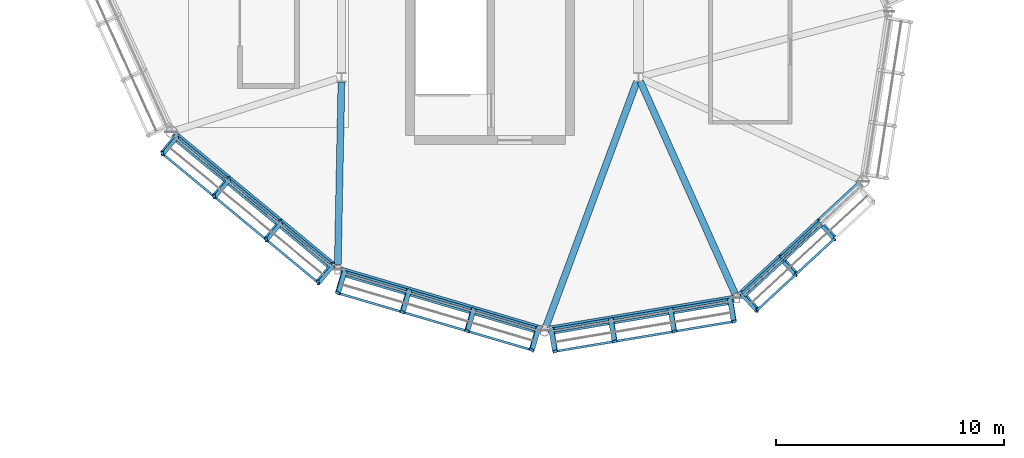
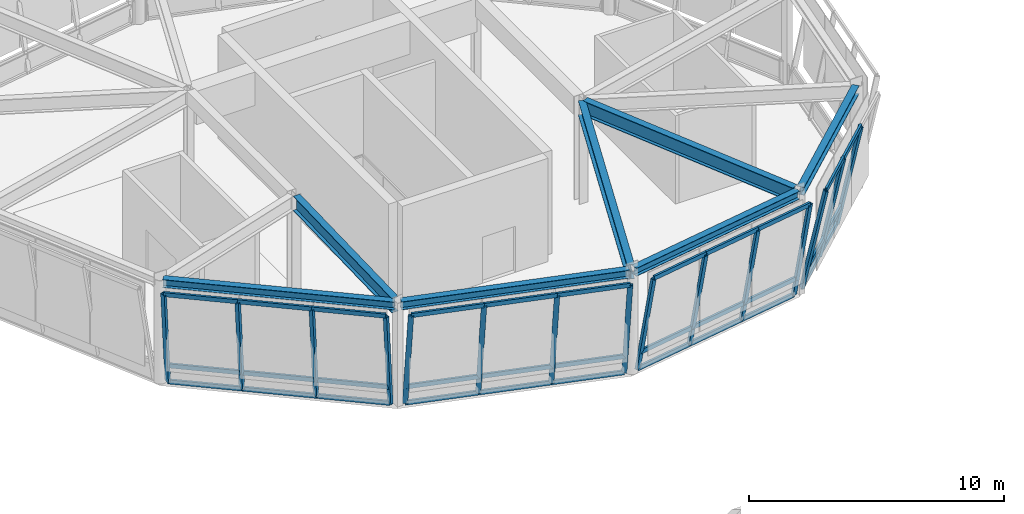
# One storey, part 22 of 113: 48 members, 7 beams, 4 elements without a shape of their own.
"""IFC4 building model written with IfcOpenShell, lengths in metres."""

from ifc_helpers import new_model, si_unit, direction, frame, origin, origin_2d, place, context, subcontext, project, spatial, hollow_rectangle, i_section, extrude, material, material_profile, profile_set, type_object, element, aggregate, save


model = new_model("IFC4")

# Units and contexts
model_context = context("Model", 3, precision=1e-05, world=origin(), true_north=direction((0.0, 1.0)))
body_context = subcontext(model_context, "Body", "Model", "MODEL_VIEW")
ifc_project = project(units=[si_unit("LENGTHUNIT", "METRE"), si_unit("AREAUNIT", "SQUARE_METRE"), si_unit("VOLUMEUNIT", "CUBIC_METRE"), si_unit("PLANEANGLEUNIT", "RADIAN"), si_unit("MASSUNIT", "GRAM", prefix="KILO")], contexts=[model_context])

# Site, building, storey
site_placement = place(None, origin())
site = spatial("IfcSite", under=ifc_project, at=site_placement, CompositionType="ELEMENT")
building_placement = place(site_placement, origin())
building = spatial("IfcBuilding", under=site, at=building_placement, Name="Linyun Crest Stadium", CompositionType="ELEMENT")
storey_placement = place(building_placement, frame((0.0, 0.0, 26.39990234375)))
storey = spatial("IfcBuildingStorey", under=building, at=storey_placement, Name="L06", CompositionType="ELEMENT", Elevation=26.39990234375)

# Beams
ifc_material_1 = material(Name="Steel Q355C", Category="steel")
ifc_material_profile_1 = material_profile(ifc_material_1, i_section(OverallWidth=0.300048828125, OverallDepth=0.389892578125, WebThickness=0.010009765625, FlangeThickness=0.01611328125, at=origin_2d()), Name="HM 390x300")
ifc_profile_set_1 = profile_set([ifc_material_profile_1], Name="Steel Q355C")
beam_type_1 = type_object("IfcBeamType", Name="B06", PredefinedType="BEAM", material=ifc_profile_set_1)
beam_1_placement = place(storey_placement, frame((-87.34912109375, 78.032958984375, 4.75), z_axis=(0.770371409823, -0.637595397512, 0.0), x_axis=(0.637595397512, 0.770371409823, 0.0)))
element("IfcBeam", 1, at=beam_1_placement, inside=storey, type_object=beam_type_1, Name="Pod ring girder B06 L06 89", PredefinedType="BEAM", context=body_context, shape_type="SweptSolid", body=[
    extrude(i_section(OverallWidth=0.300048828125, OverallDepth=0.389892578125, WebThickness=0.010009765625, FlangeThickness=0.01611328125, at=origin_2d()), origin(), (0.0, 0.0, 1.0), 9.204833984375),
])
beam_2_placement = place(storey_placement, frame((-80.051025390625, 72.052978515625, 4.75), z_axis=(0.959427571735, -0.281955199623, 0.0), x_axis=(0.281955199623, 0.959427571735, 0.0)))
element("IfcBeam", 2, at=beam_2_placement, inside=storey, type_object=beam_type_1, Name="Pod ring girder B06 L06 91", PredefinedType="BEAM", context=body_context, shape_type="SweptSolid", body=[
    extrude(i_section(OverallWidth=0.300048828125, OverallDepth=0.389892578125, WebThickness=0.010009765625, FlangeThickness=0.01611328125, at=origin_2d()), origin(), (0.0, 0.0, 1.0), 9.203369140625),
])
beam_3_placement = place(storey_placement, frame((-70.988037109375, 69.444091796875, 4.75), z_axis=(0.986275969976, 0.165105151487, 0.0), x_axis=(-0.165105151487, 0.986275969976, 0.0)))
element("IfcBeam", 3, at=beam_3_placement, inside=storey, type_object=beam_type_1, Name="Pod ring girder B06 L06 93", PredefinedType="BEAM", context=body_context, shape_type="SweptSolid", body=[
    extrude(i_section(OverallWidth=0.300048828125, OverallDepth=0.389892578125, WebThickness=0.010009765625, FlangeThickness=0.01611328125, at=origin_2d()), origin(), (0.0, 0.0, 1.0), 8.296875),
])
beam_4_placement = place(storey_placement, frame((-62.59912109375, 70.9150390625, 4.75), z_axis=(0.734193861678, 0.678939889441, 0.0), x_axis=(-0.678939889441, 0.734193861678, 0.0)))
element("IfcBeam", 4, at=beam_4_placement, inside=storey, type_object=beam_type_1, Name="Pod ring girder B06 L06 95", PredefinedType="BEAM", context=body_context, shape_type="SweptSolid", body=[
    extrude(i_section(OverallWidth=0.300048828125, OverallDepth=0.389892578125, WebThickness=0.010009765625, FlangeThickness=0.01611328125, at=origin_2d()), origin(), (0.0, 0.0, 1.0), 7.28173828125),
])
ifc_material_2 = material(Name="Steel Q355C", Category="steel")
ifc_material_profile_2 = material_profile(ifc_material_2, i_section(OverallWidth=0.300048828125, OverallDepth=0.699951171875, WebThickness=0.012939453125, FlangeThickness=0.02392578125, at=origin_2d()), Name="HN 700x300")
ifc_profile_set_2 = profile_set([ifc_material_profile_2], Name="Steel Q355C")
beam_type_2 = type_object("IfcBeamType", Name="B12", PredefinedType="BEAM", material=ifc_profile_set_2)
beam_5_placement = place(storey_placement, frame((-80.00390625, 80.300048828125, 4.59521484375), z_axis=(-0.01978842746, -0.999804189899, 0.0), x_axis=(0.999804189899, -0.01978842746, 0.0)))
element("IfcBeam", 5, at=beam_5_placement, inside=storey, type_object=beam_type_2, Name="Pod radial tie girder B12 L06 92", PredefinedType="BEAM", context=body_context, shape_type="SweptSolid", body=[
    extrude(i_section(OverallWidth=0.300048828125, OverallDepth=0.699951171875, WebThickness=0.012939453125, FlangeThickness=0.02392578125, at=origin_2d()), origin(), (0.0, 0.0, 1.0), 7.99462890625),
])
beam_6_placement = place(storey_placement, frame((-67.070068359375, 80.31201171875, 4.59521484375), z_axis=(-0.347593524127, -0.937645317796, 0.0), x_axis=(0.937645317796, -0.347593524127, 0.0)))
element("IfcBeam", 6, at=beam_6_placement, inside=storey, type_object=beam_type_2, Name="Pod radial tie girder B12 L06 94", PredefinedType="BEAM", context=body_context, shape_type="SweptSolid", body=[
    extrude(i_section(OverallWidth=0.300048828125, OverallDepth=0.699951171875, WebThickness=0.012939453125, FlangeThickness=0.02392578125, at=origin_2d()), origin(), (0.0, 0.0, 1.0), 11.392578125),
])
beam_7_placement = place(storey_placement, frame((-66.9189453125, 80.31689453125, 4.59521484375), z_axis=(0.407495258441, -0.913207322763, 0.0), x_axis=(0.913207322763, 0.407495258441, 0.0)))
element("IfcBeam", 7, at=beam_7_placement, inside=storey, type_object=beam_type_2, Name="Pod radial tie girder B12 L06 96", PredefinedType="BEAM", context=body_context, shape_type="SweptSolid", body=[
    extrude(i_section(OverallWidth=0.300048828125, OverallDepth=0.699951171875, WebThickness=0.012939453125, FlangeThickness=0.02392578125, at=origin_2d()), origin(), (0.0, 0.0, 1.0), 10.1640625),
])

# Curtain wall, members
ifc_material_3 = material(Name="Verdigris steel and low-E curtain wall assembly", Category="steel")
curtain_wall_type = type_object("IfcCurtainWallType", Name="MCW04", PredefinedType="NOTDEFINED", material=ifc_material_3)
curtain_wall_1_placement = place(storey_placement, origin())
curtain_wall_1 = element("IfcCurtainWall", 8, at=curtain_wall_1_placement, inside=storey, type_object=curtain_wall_type, Name="CWR-033", PredefinedType="NOTDEFINED")
ifc_material_4 = material(Name="Verdigris painted steel Q355C pod mullion", Category="steel")
ifc_material_profile_3 = material_profile(ifc_material_4, hollow_rectangle(XDim=0.1201171875, YDim=0.219970703125, WallThickness=0.008056640625, at=origin_2d()), Name="RHS 220x120x8")
ifc_profile_set_3 = profile_set([ifc_material_profile_3], Name="Verdigris painted steel Q355C pod mullion")
member_type_1 = type_object("IfcMemberType", Name="ML04", PredefinedType="MULLION", material=ifc_profile_set_3)
member_1_placement = place(storey_placement, frame((-87.2099609375, 77.9189453125, 0.0), z_axis=(-0.12724398281, -0.153628034951, 0.979901727581), x_axis=(0.972586832037, 0.174539399185, 0.153658232063)))
member_1 = element("IfcMember", 9, at=member_1_placement, type_object=member_type_1, Name="CWR-033 mullion 1", PredefinedType="MULLION", context=body_context, shape_type="SweptSolid", body=[
    extrude(hollow_rectangle(XDim=0.1201171875, YDim=0.219970703125, WallThickness=0.008056640625, at=origin_2d()), origin(), (0.0, 0.0, 1.0), 4.959716796875),
])
member_2_placement = place(storey_placement, frame((-84.93896484375, 76.0390625, 0.0), z_axis=(-0.12724398281, -0.153628034951, 0.979901727581), x_axis=(0.972586832037, 0.174539399185, 0.153658232063)))
member_2 = element("IfcMember", 10, at=member_2_placement, type_object=member_type_1, Name="CWR-033 mullion 2", PredefinedType="MULLION", context=body_context, shape_type="SweptSolid", body=[
    extrude(hollow_rectangle(XDim=0.1201171875, YDim=0.219970703125, WallThickness=0.008056640625, at=origin_2d()), origin(), (0.0, 0.0, 1.0), 4.959716796875),
])
member_3_placement = place(storey_placement, frame((-82.66796875, 74.157958984375, 0.0), z_axis=(-0.127247829487, -0.153435777374, 0.979931350714), x_axis=(0.972711180682, 0.173944112656, 0.153546099423)))
member_3 = element("IfcMember", 11, at=member_3_placement, type_object=member_type_1, Name="CWR-033 mullion 3", PredefinedType="MULLION", context=body_context, shape_type="SweptSolid", body=[
    extrude(hollow_rectangle(XDim=0.1201171875, YDim=0.219970703125, WallThickness=0.008056640625, at=origin_2d()), origin(), (0.0, 0.0, 1.0), 4.959716796875),
])
member_4_placement = place(storey_placement, frame((-80.39697265625, 72.278076171875, 0.0), z_axis=(-0.12724398281, -0.153628034951, 0.979901727581), x_axis=(0.972586832037, 0.174539399185, 0.153658232063)))
member_4 = element("IfcMember", 12, at=member_4_placement, type_object=member_type_1, Name="CWR-033 mullion 4", PredefinedType="MULLION", context=body_context, shape_type="SweptSolid", body=[
    extrude(hollow_rectangle(XDim=0.1201171875, YDim=0.219970703125, WallThickness=0.008056640625, at=origin_2d()), origin(), (0.0, 0.0, 1.0), 4.959716796875),
])

curtain_wall_2_placement = place(storey_placement, origin())
curtain_wall_2 = element("IfcCurtainWall", 13, at=curtain_wall_2_placement, inside=storey, type_object=curtain_wall_type, Name="CWR-034", PredefinedType="NOTDEFINED")
member_5_placement = place(storey_placement, frame((-79.8779296875, 72.001953125, 0.0), z_axis=(-0.056263528028, -0.191335374841, 0.979910807037), x_axis=(0.535777028127, 0.822393680307, 0.1913416074)))
member_5 = element("IfcMember", 14, at=member_5_placement, type_object=member_type_1, Name="CWR-034 mullion 1", PredefinedType="MULLION", context=body_context, shape_type="SweptSolid", body=[
    extrude(hollow_rectangle(XDim=0.1201171875, YDim=0.219970703125, WallThickness=0.008056640625, at=origin_2d()), origin(), (0.0, 0.0, 1.0), 4.959716796875),
])
member_6_placement = place(storey_placement, frame((-77.050048828125, 71.1708984375, 0.0), z_axis=(-0.056263528028, -0.191335374841, 0.979910807037), x_axis=(0.535777028127, 0.822393680307, 0.1913416074)))
member_6 = element("IfcMember", 15, at=member_6_placement, type_object=member_type_1, Name="CWR-034 mullion 2", PredefinedType="MULLION", context=body_context, shape_type="SweptSolid", body=[
    extrude(hollow_rectangle(XDim=0.1201171875, YDim=0.219970703125, WallThickness=0.008056640625, at=origin_2d()), origin(), (0.0, 0.0, 1.0), 4.959716796875),
])
member_7_placement = place(storey_placement, frame((-74.221923828125, 70.340087890625, 0.0), z_axis=(-0.056263528028, -0.191335374841, 0.979910807037), x_axis=(0.535777028127, 0.822393680307, 0.1913416074)))
member_7 = element("IfcMember", 16, at=member_7_placement, type_object=member_type_1, Name="CWR-034 mullion 3", PredefinedType="MULLION", context=body_context, shape_type="SweptSolid", body=[
    extrude(hollow_rectangle(XDim=0.1201171875, YDim=0.219970703125, WallThickness=0.008056640625, at=origin_2d()), origin(), (0.0, 0.0, 1.0), 4.959716796875),
])
member_8_placement = place(storey_placement, frame((-71.39404296875, 69.509033203125, 0.0), z_axis=(-0.056263528028, -0.191335374841, 0.979910807037), x_axis=(0.535777028127, 0.822393680307, 0.1913416074)))
member_8 = element("IfcMember", 17, at=member_8_placement, type_object=member_type_1, Name="CWR-034 mullion 4", PredefinedType="MULLION", context=body_context, shape_type="SweptSolid", body=[
    extrude(hollow_rectangle(XDim=0.1201171875, YDim=0.219970703125, WallThickness=0.008056640625, at=origin_2d()), origin(), (0.0, 0.0, 1.0), 4.959716796875),
])

curtain_wall_3_placement = place(storey_placement, origin())
curtain_wall_3 = element("IfcCurtainWall", 18, at=curtain_wall_3_placement, inside=storey, type_object=curtain_wall_type, Name="CWR-035", PredefinedType="NOTDEFINED")
member_9_placement = place(storey_placement, frame((-70.81005859375, 69.47412109375, 0.0), z_axis=(0.032882597472, -0.196606428596, 0.979930939923), x_axis=(-0.322218598261, 0.926024967951, 0.196603493527)))
member_9 = element("IfcMember", 19, at=member_9_placement, type_object=member_type_1, Name="CWR-035 mullion 1", PredefinedType="MULLION", context=body_context, shape_type="SweptSolid", body=[
    extrude(hollow_rectangle(XDim=0.1201171875, YDim=0.219970703125, WallThickness=0.008056640625, at=origin_2d()), origin(), (0.0, 0.0, 1.0), 4.959716796875),
])
member_10_placement = place(storey_placement, frame((-68.200927734375, 69.910888671875, 0.0), z_axis=(0.032832471524, -0.196748708666, 0.979904063902), x_axis=(-0.321875734565, 0.926116536999, 0.19673375764)))
member_10 = element("IfcMember", 20, at=member_10_placement, type_object=member_type_1, Name="CWR-035 mullion 2", PredefinedType="MULLION", context=body_context, shape_type="SweptSolid", body=[
    extrude(hollow_rectangle(XDim=0.1201171875, YDim=0.219970703125, WallThickness=0.008056640625, at=origin_2d()), origin(), (0.0, 0.0, 1.0), 4.959716796875),
])
member_11_placement = place(storey_placement, frame((-65.592041015625, 70.346923828125, 0.0), z_axis=(0.032882915676, -0.196559105228, 0.979940422683), x_axis=(-0.322257872958, 0.926021062596, 0.196557510528)))
member_11 = element("IfcMember", 21, at=member_11_placement, type_object=member_type_1, Name="CWR-035 mullion 3", PredefinedType="MULLION", context=body_context, shape_type="SweptSolid", body=[
    extrude(hollow_rectangle(XDim=0.1201171875, YDim=0.219970703125, WallThickness=0.008056640625, at=origin_2d()), origin(), (0.0, 0.0, 1.0), 4.959716796875),
])
member_12_placement = place(storey_placement, frame((-62.98291015625, 70.783935546875, 0.0), z_axis=(0.032833742862, -0.196559423159, 0.979942007721), x_axis=(-0.322032514428, 0.926101088743, 0.196549823403)))
member_12 = element("IfcMember", 22, at=member_12_placement, type_object=member_type_1, Name="CWR-035 mullion 4", PredefinedType="MULLION", context=body_context, shape_type="SweptSolid", body=[
    extrude(hollow_rectangle(XDim=0.1201171875, YDim=0.219970703125, WallThickness=0.008056640625, at=origin_2d()), origin(), (0.0, 0.0, 1.0), 4.95947265625),
])

curtain_wall_4_placement = place(storey_placement, origin())
curtain_wall_4 = element("IfcCurtainWall", 23, at=curtain_wall_4_placement, inside=storey, type_object=curtain_wall_type, Name="CWR-036", PredefinedType="NOTDEFINED")
member_13_placement = place(storey_placement, frame((-62.467041015625, 71.0380859375, 0.0), z_axis=(0.135320188959, -0.146395868303, 0.979926883091), x_axis=(-0.986910030281, 0.067659651153, 0.146392498909)))
member_13 = element("IfcMember", 24, at=member_13_placement, type_object=member_type_1, Name="CWR-036 mullion 1", PredefinedType="MULLION", context=body_context, shape_type="SweptSolid", body=[
    extrude(hollow_rectangle(XDim=0.1201171875, YDim=0.219970703125, WallThickness=0.008056640625, at=origin_2d()), origin(), (0.0, 0.0, 1.0), 4.959716796875),
])
member_14_placement = place(storey_placement, frame((-60.77294921875, 72.60400390625, 0.0), z_axis=(0.135271864626, -0.146396843303, 0.979933409427), x_axis=(-0.986900996133, 0.06784214931, 0.146368940042)))
member_14 = element("IfcMember", 25, at=member_14_placement, type_object=member_type_1, Name="CWR-036 mullion 2", PredefinedType="MULLION", context=body_context, shape_type="SweptSolid", body=[
    extrude(hollow_rectangle(XDim=0.1201171875, YDim=0.219970703125, WallThickness=0.008056640625, at=origin_2d()), origin(), (0.0, 0.0, 1.0), 4.959716796875),
])
member_15_placement = place(storey_placement, frame((-59.0791015625, 74.169921875, 0.0), z_axis=(0.135321163974, -0.146347697524, 0.979933943697), x_axis=(-0.986924878518, 0.067498016121, 0.146367011251)))
member_15 = element("IfcMember", 26, at=member_15_placement, type_object=member_type_1, Name="CWR-036 mullion 3", PredefinedType="MULLION", context=body_context, shape_type="SweptSolid", body=[
    extrude(hollow_rectangle(XDim=0.1201171875, YDim=0.219970703125, WallThickness=0.008056640625, at=origin_2d()), origin(), (0.0, 0.0, 1.0), 4.959716796875),
])

# Member
ifc_material_5 = material(Name="Verdigris painted steel Q355C transom", Category="steel")
ifc_material_profile_4 = material_profile(ifc_material_5, hollow_rectangle(XDim=0.10009765625, YDim=0.199951171875, WallThickness=0.008056640625, at=origin_2d()), Name="RHS 200x100x8")
ifc_profile_set_4 = profile_set([ifc_material_profile_4], Name="Verdigris painted steel Q355C transom")
member_type_2 = type_object("IfcMemberType", Name="TR03", PredefinedType="USERDEFINED", material=ifc_profile_set_4)
member_16_placement = place(storey_placement, frame((-87.2099609375, 77.9189453125, 0.0), z_axis=(0.770321380351, -0.63765584054, 0.0), x_axis=(0.63765584054, 0.770321380351, 0.0)))
member_16 = element("IfcMember", 27, at=member_16_placement, type_object=member_type_2, Name="CWR-033 transom 1.1", ObjectType="TRANSOM", PredefinedType="USERDEFINED", context=body_context, shape_type="SweptSolid", body=[
    extrude(hollow_rectangle(XDim=0.10009765625, YDim=0.199951171875, WallThickness=0.008056640625, at=origin_2d()), origin(), (0.0, 0.0, 1.0), 2.947998046875),
])

member_17_placement = place(storey_placement, frame((-87.326904296875, 77.778076171875, 0.900146484375), z_axis=(0.770280703464, -0.637704977142, 0.0), x_axis=(0.637704977142, 0.770280703464, 0.0)))
member_17 = element("IfcMember", 28, at=member_17_placement, type_object=member_type_2, Name="CWR-033 transom 1.2", ObjectType="TRANSOM", PredefinedType="USERDEFINED", context=body_context, shape_type="SweptSolid", body=[
    extrude(hollow_rectangle(XDim=0.10009765625, YDim=0.199951171875, WallThickness=0.008056640625, at=origin_2d()), origin(), (0.0, 0.0, 1.0), 2.9482421875),
])

member_18_placement = place(storey_placement, frame((-87.841064453125, 77.156982421875, 4.860107421875), z_axis=(0.770321380351, -0.63765584054, 0.0), x_axis=(0.63765584054, 0.770321380351, 0.0)))
member_18 = element("IfcMember", 29, at=member_18_placement, type_object=member_type_2, Name="CWR-033 transom 1.3", ObjectType="TRANSOM", PredefinedType="USERDEFINED", context=body_context, shape_type="SweptSolid", body=[
    extrude(hollow_rectangle(XDim=0.10009765625, YDim=0.199951171875, WallThickness=0.008056640625, at=origin_2d()), origin(), (0.0, 0.0, 1.0), 2.947998046875),
])

member_19_placement = place(storey_placement, frame((-84.93896484375, 76.0390625, 0.0), z_axis=(0.770118007544, -0.637901445724, 0.0), x_axis=(0.637901445724, 0.770118007544, 0.0)))
member_19 = element("IfcMember", 30, at=member_19_placement, type_object=member_type_2, Name="CWR-033 transom 2.1", ObjectType="TRANSOM", PredefinedType="USERDEFINED", context=body_context, shape_type="SweptSolid", body=[
    extrude(hollow_rectangle(XDim=0.10009765625, YDim=0.199951171875, WallThickness=0.008056640625, at=origin_2d()), origin(), (0.0, 0.0, 1.0), 2.948974609375),
])

member_20_placement = place(storey_placement, frame((-85.055908203125, 75.89794921875, 0.900146484375), z_axis=(0.770158679778, -0.63785234025, 0.0), x_axis=(0.63785234025, 0.770158679778, 0.0)))
member_20 = element("IfcMember", 31, at=member_20_placement, type_object=member_type_2, Name="CWR-033 transom 2.2", ObjectType="TRANSOM", PredefinedType="USERDEFINED", context=body_context, shape_type="SweptSolid", body=[
    extrude(hollow_rectangle(XDim=0.10009765625, YDim=0.199951171875, WallThickness=0.008056640625, at=origin_2d()), origin(), (0.0, 0.0, 1.0), 2.94873046875),
])

member_21_placement = place(storey_placement, frame((-85.570068359375, 75.277099609375, 4.860107421875), z_axis=(0.770280703464, -0.637704977142, 0.0), x_axis=(0.637704977142, 0.770280703464, 0.0)))
member_21 = element("IfcMember", 32, at=member_21_placement, type_object=member_type_2, Name="CWR-033 transom 2.3", ObjectType="TRANSOM", PredefinedType="USERDEFINED", context=body_context, shape_type="SweptSolid", body=[
    extrude(hollow_rectangle(XDim=0.10009765625, YDim=0.199951171875, WallThickness=0.008056640625, at=origin_2d()), origin(), (0.0, 0.0, 1.0), 2.9482421875),
])

member_22_placement = place(storey_placement, frame((-82.66796875, 74.157958984375, 0.0), z_axis=(0.770321380351, -0.63765584054, 0.0), x_axis=(0.63765584054, 0.770321380351, 0.0)))
member_22 = element("IfcMember", 33, at=member_22_placement, type_object=member_type_2, Name="CWR-033 transom 3.1", ObjectType="TRANSOM", PredefinedType="USERDEFINED", context=body_context, shape_type="SweptSolid", body=[
    extrude(hollow_rectangle(XDim=0.10009765625, YDim=0.199951171875, WallThickness=0.008056640625, at=origin_2d()), origin(), (0.0, 0.0, 1.0), 2.947998046875),
])

member_23_placement = place(storey_placement, frame((-82.784912109375, 74.01708984375, 0.900146484375), z_axis=(0.770280703464, -0.637704977142, 0.0), x_axis=(0.637704977142, 0.770280703464, 0.0)))
member_23 = element("IfcMember", 34, at=member_23_placement, type_object=member_type_2, Name="CWR-033 transom 3.2", ObjectType="TRANSOM", PredefinedType="USERDEFINED", context=body_context, shape_type="SweptSolid", body=[
    extrude(hollow_rectangle(XDim=0.10009765625, YDim=0.199951171875, WallThickness=0.008056640625, at=origin_2d()), origin(), (0.0, 0.0, 1.0), 2.9482421875),
])

member_24_placement = place(storey_placement, frame((-83.299072265625, 73.39697265625, 4.860107421875), z_axis=(0.770158679778, -0.63785234025, 0.0), x_axis=(0.63785234025, 0.770158679778, 0.0)))
member_24 = element("IfcMember", 35, at=member_24_placement, type_object=member_type_2, Name="CWR-033 transom 3.3", ObjectType="TRANSOM", PredefinedType="USERDEFINED", context=body_context, shape_type="SweptSolid", body=[
    extrude(hollow_rectangle(XDim=0.10009765625, YDim=0.199951171875, WallThickness=0.008056640625, at=origin_2d()), origin(), (0.0, 0.0, 1.0), 2.94873046875),
])

aggregate(curtain_wall_1, [member_1, member_2, member_3, member_4, member_16, member_17, member_18, member_19, member_20, member_21, member_22, member_23, member_24])

member_25_placement = place(storey_placement, frame((-79.8779296875, 72.001953125, 0.0), z_axis=(0.959427469513, -0.28195554746, 0.0), x_axis=(0.28195554746, 0.959427469513, 0.0)))
member_25 = element("IfcMember", 36, at=member_25_placement, type_object=member_type_2, Name="CWR-034 transom 1.1", ObjectType="TRANSOM", PredefinedType="USERDEFINED", context=body_context, shape_type="SweptSolid", body=[
    extrude(hollow_rectangle(XDim=0.10009765625, YDim=0.199951171875, WallThickness=0.008056640625, at=origin_2d()), origin(), (0.0, 0.0, 1.0), 2.947509765625),
])

member_26_placement = place(storey_placement, frame((-79.929931640625, 71.825927734375, 0.900146484375), z_axis=(0.959449874016, -0.281879299083, 0.0), x_axis=(0.281879299083, 0.959449874016, 0.0)))
member_26 = element("IfcMember", 37, at=member_26_placement, type_object=member_type_2, Name="CWR-034 transom 1.2", ObjectType="TRANSOM", PredefinedType="USERDEFINED", context=body_context, shape_type="SweptSolid", body=[
    extrude(hollow_rectangle(XDim=0.10009765625, YDim=0.199951171875, WallThickness=0.008056640625, at=origin_2d()), origin(), (0.0, 0.0, 1.0), 2.947509765625),
])

member_27_placement = place(storey_placement, frame((-80.156982421875, 71.052978515625, 4.860107421875), z_axis=(0.959427469513, -0.28195554746, 0.0), x_axis=(0.28195554746, 0.959427469513, 0.0)))
member_27 = element("IfcMember", 38, at=member_27_placement, type_object=member_type_2, Name="CWR-034 transom 1.3", ObjectType="TRANSOM", PredefinedType="USERDEFINED", context=body_context, shape_type="SweptSolid", body=[
    extrude(hollow_rectangle(XDim=0.10009765625, YDim=0.199951171875, WallThickness=0.008056640625, at=origin_2d()), origin(), (0.0, 0.0, 1.0), 2.947509765625),
])

member_28_placement = place(storey_placement, frame((-77.050048828125, 71.1708984375, 0.0), z_axis=(0.959456454772, -0.281856898791, 0.0), x_axis=(0.281856898791, 0.959456454772, 0.0)))
member_28 = element("IfcMember", 39, at=member_28_placement, type_object=member_type_2, Name="CWR-034 transom 2.1", ObjectType="TRANSOM", PredefinedType="USERDEFINED", context=body_context, shape_type="SweptSolid", body=[
    extrude(hollow_rectangle(XDim=0.10009765625, YDim=0.199951171875, WallThickness=0.008056640625, at=origin_2d()), origin(), (0.0, 0.0, 1.0), 2.94775390625),
])

member_29_placement = place(storey_placement, frame((-77.10205078125, 70.9951171875, 0.900146484375), z_axis=(0.959434053677, -0.281933142154, 0.0), x_axis=(0.281933142154, 0.959434053677, 0.0)))
member_29 = element("IfcMember", 40, at=member_29_placement, type_object=member_type_2, Name="CWR-034 transom 2.2", ObjectType="TRANSOM", PredefinedType="USERDEFINED", context=body_context, shape_type="SweptSolid", body=[
    extrude(hollow_rectangle(XDim=0.10009765625, YDim=0.199951171875, WallThickness=0.008056640625, at=origin_2d()), origin(), (0.0, 0.0, 1.0), 2.94775390625),
])

member_30_placement = place(storey_placement, frame((-77.3291015625, 70.221923828125, 4.860107421875), z_axis=(0.959456454772, -0.281856898791, 0.0), x_axis=(0.281856898791, 0.959456454772, 0.0)))
member_30 = element("IfcMember", 41, at=member_30_placement, type_object=member_type_2, Name="CWR-034 transom 2.3", ObjectType="TRANSOM", PredefinedType="USERDEFINED", context=body_context, shape_type="SweptSolid", body=[
    extrude(hollow_rectangle(XDim=0.10009765625, YDim=0.199951171875, WallThickness=0.008056640625, at=origin_2d()), origin(), (0.0, 0.0, 1.0), 2.94775390625),
])

member_31_placement = place(storey_placement, frame((-74.221923828125, 70.340087890625, 0.0), z_axis=(0.959427469513, -0.28195554746, 0.0), x_axis=(0.28195554746, 0.959427469513, 0.0)))
member_31 = element("IfcMember", 42, at=member_31_placement, type_object=member_type_2, Name="CWR-034 transom 3.1", ObjectType="TRANSOM", PredefinedType="USERDEFINED", context=body_context, shape_type="SweptSolid", body=[
    extrude(hollow_rectangle(XDim=0.10009765625, YDim=0.199951171875, WallThickness=0.008056640625, at=origin_2d()), origin(), (0.0, 0.0, 1.0), 2.947509765625),
])

member_32_placement = place(storey_placement, frame((-74.27392578125, 70.1640625, 0.900146484375), z_axis=(0.959427469513, -0.28195554746, 0.0), x_axis=(0.28195554746, 0.959427469513, 0.0)))
member_32 = element("IfcMember", 43, at=member_32_placement, type_object=member_type_2, Name="CWR-034 transom 3.2", ObjectType="TRANSOM", PredefinedType="USERDEFINED", context=body_context, shape_type="SweptSolid", body=[
    extrude(hollow_rectangle(XDim=0.10009765625, YDim=0.199951171875, WallThickness=0.008056640625, at=origin_2d()), origin(), (0.0, 0.0, 1.0), 2.947509765625),
])

member_33_placement = place(storey_placement, frame((-74.5009765625, 69.39111328125, 4.860107421875), z_axis=(0.959427469513, -0.28195554746, 0.0), x_axis=(0.28195554746, 0.959427469513, 0.0)))
member_33 = element("IfcMember", 44, at=member_33_placement, type_object=member_type_2, Name="CWR-034 transom 3.3", ObjectType="TRANSOM", PredefinedType="USERDEFINED", context=body_context, shape_type="SweptSolid", body=[
    extrude(hollow_rectangle(XDim=0.10009765625, YDim=0.199951171875, WallThickness=0.008056640625, at=origin_2d()), origin(), (0.0, 0.0, 1.0), 2.947509765625),
])

aggregate(curtain_wall_2, [member_5, member_6, member_7, member_8, member_25, member_26, member_27, member_28, member_29, member_30, member_31, member_32, member_33])

member_34_placement = place(storey_placement, frame((-70.81005859375, 69.47412109375, 0.0), z_axis=(0.986276442989, 0.165102325864, 0.0), x_axis=(-0.165102325864, 0.986276442989, 0.0)))
member_34 = element("IfcMember", 45, at=member_34_placement, type_object=member_type_2, Name="CWR-035 transom 1.1", ObjectType="TRANSOM", PredefinedType="USERDEFINED", context=body_context, shape_type="SweptSolid", body=[
    extrude(hollow_rectangle(XDim=0.10009765625, YDim=0.199951171875, WallThickness=0.008056640625, at=origin_2d()), origin(), (0.0, 0.0, 1.0), 2.6455078125),
])

member_35_placement = place(storey_placement, frame((-70.780029296875, 69.29296875, 0.900146484375), z_axis=(0.986261411357, 0.165192095661, 0.0), x_axis=(-0.165192095661, 0.986261411357, 0.0)))
member_35 = element("IfcMember", 46, at=member_35_placement, type_object=member_type_2, Name="CWR-035 transom 1.2", ObjectType="TRANSOM", PredefinedType="USERDEFINED", context=body_context, shape_type="SweptSolid", body=[
    extrude(hollow_rectangle(XDim=0.10009765625, YDim=0.199951171875, WallThickness=0.008056640625, at=origin_2d()), origin(), (0.0, 0.0, 1.0), 2.6455078125),
])

member_36_placement = place(storey_placement, frame((-70.64697265625, 68.4990234375, 4.860107421875), z_axis=(0.986318983701, 0.164847997837, 0.0), x_axis=(-0.164847997837, 0.986318983701, 0.0)))
member_36 = element("IfcMember", 47, at=member_36_placement, type_object=member_type_2, Name="CWR-035 transom 1.3", ObjectType="TRANSOM", PredefinedType="USERDEFINED", context=body_context, shape_type="SweptSolid", body=[
    extrude(hollow_rectangle(XDim=0.10009765625, YDim=0.199951171875, WallThickness=0.008056640625, at=origin_2d()), origin(), (0.0, 0.0, 1.0), 2.64501953125),
])

member_37_placement = place(storey_placement, frame((-68.200927734375, 69.910888671875, 0.0), z_axis=(0.986318983701, 0.164847997837, 0.0), x_axis=(-0.164847997837, 0.986318983701, 0.0)))
member_37 = element("IfcMember", 48, at=member_37_placement, type_object=member_type_2, Name="CWR-035 transom 2.1", ObjectType="TRANSOM", PredefinedType="USERDEFINED", context=body_context, shape_type="SweptSolid", body=[
    extrude(hollow_rectangle(XDim=0.10009765625, YDim=0.199951171875, WallThickness=0.008056640625, at=origin_2d()), origin(), (0.0, 0.0, 1.0), 2.64501953125),
])

member_38_placement = place(storey_placement, frame((-68.1708984375, 69.72998046875, 0.900146484375), z_axis=(0.98625889267, 0.165207132499, 0.0), x_axis=(-0.165207132499, 0.98625889267, 0.0)))
member_38 = element("IfcMember", 49, at=member_38_placement, type_object=member_type_2, Name="CWR-035 transom 2.2", ObjectType="TRANSOM", PredefinedType="USERDEFINED", context=body_context, shape_type="SweptSolid", body=[
    extrude(hollow_rectangle(XDim=0.10009765625, YDim=0.199951171875, WallThickness=0.008056640625, at=origin_2d()), origin(), (0.0, 0.0, 1.0), 2.645263671875),
])

member_39_placement = place(storey_placement, frame((-68.0380859375, 68.93505859375, 4.860107421875), z_axis=(0.986261411357, 0.165192095661, 0.0), x_axis=(-0.165192095661, 0.986261411357, 0.0)))
member_39 = element("IfcMember", 50, at=member_39_placement, type_object=member_type_2, Name="CWR-035 transom 2.3", ObjectType="TRANSOM", PredefinedType="USERDEFINED", context=body_context, shape_type="SweptSolid", body=[
    extrude(hollow_rectangle(XDim=0.10009765625, YDim=0.199951171875, WallThickness=0.008056640625, at=origin_2d()), origin(), (0.0, 0.0, 1.0), 2.6455078125),
])

member_40_placement = place(storey_placement, frame((-65.592041015625, 70.346923828125, 0.0), z_axis=(0.986261411357, 0.165192095661, 0.0), x_axis=(-0.165192095661, 0.986261411357, 0.0)))
member_40 = element("IfcMember", 51, at=member_40_placement, type_object=member_type_2, Name="CWR-035 transom 3.1", ObjectType="TRANSOM", PredefinedType="USERDEFINED", context=body_context, shape_type="SweptSolid", body=[
    extrude(hollow_rectangle(XDim=0.10009765625, YDim=0.199951171875, WallThickness=0.008056640625, at=origin_2d()), origin(), (0.0, 0.0, 1.0), 2.6455078125),
])

member_41_placement = place(storey_placement, frame((-65.56201171875, 70.1669921875, 0.900146484375), z_axis=(0.986321491601, 0.164832991859, 0.0), x_axis=(-0.164832991859, 0.986321491601, 0.0)))
member_41 = element("IfcMember", 52, at=member_41_placement, type_object=member_type_2, Name="CWR-035 transom 3.2", ObjectType="TRANSOM", PredefinedType="USERDEFINED", context=body_context, shape_type="SweptSolid", body=[
    extrude(hollow_rectangle(XDim=0.10009765625, YDim=0.199951171875, WallThickness=0.008056640625, at=origin_2d()), origin(), (0.0, 0.0, 1.0), 2.645263671875),
])

member_42_placement = place(storey_placement, frame((-65.428955078125, 69.3720703125, 4.860107421875), z_axis=(0.98625889267, 0.165207132499, 0.0), x_axis=(-0.165207132499, 0.98625889267, 0.0)))
member_42 = element("IfcMember", 53, at=member_42_placement, type_object=member_type_2, Name="CWR-035 transom 3.3", ObjectType="TRANSOM", PredefinedType="USERDEFINED", context=body_context, shape_type="SweptSolid", body=[
    extrude(hollow_rectangle(XDim=0.10009765625, YDim=0.199951171875, WallThickness=0.008056640625, at=origin_2d()), origin(), (0.0, 0.0, 1.0), 2.645263671875),
])

aggregate(curtain_wall_3, [member_9, member_10, member_11, member_12, member_34, member_35, member_36, member_37, member_38, member_39, member_40, member_41, member_42])

member_43_placement = place(storey_placement, frame((-62.467041015625, 71.0380859375, 0.0), z_axis=(0.734340741023, 0.678781022182, 0.0), x_axis=(-0.678781022182, 0.734340741023, 0.0)))
member_43 = element("IfcMember", 54, at=member_43_placement, type_object=member_type_2, Name="CWR-036 transom 1.1", ObjectType="TRANSOM", PredefinedType="USERDEFINED", context=body_context, shape_type="SweptSolid", body=[
    extrude(hollow_rectangle(XDim=0.10009765625, YDim=0.199951171875, WallThickness=0.008056640625, at=origin_2d()), origin(), (0.0, 0.0, 1.0), 2.306884765625),
])

member_44_placement = place(storey_placement, frame((-62.343017578125, 70.904052734375, 0.900146484375), z_axis=(0.734340741023, 0.678781022182, 0.0), x_axis=(-0.678781022182, 0.734340741023, 0.0)))
member_44 = element("IfcMember", 55, at=member_44_placement, type_object=member_type_2, Name="CWR-036 transom 1.2", ObjectType="TRANSOM", PredefinedType="USERDEFINED", context=body_context, shape_type="SweptSolid", body=[
    extrude(hollow_rectangle(XDim=0.10009765625, YDim=0.199951171875, WallThickness=0.008056640625, at=origin_2d()), origin(), (0.0, 0.0, 1.0), 2.306884765625),
])

member_45_placement = place(storey_placement, frame((-61.7958984375, 70.31201171875, 4.860107421875), z_axis=(0.73429197574, 0.678833775208, 0.0), x_axis=(-0.678833775208, 0.73429197574, 0.0)))
member_45 = element("IfcMember", 56, at=member_45_placement, type_object=member_type_2, Name="CWR-036 transom 1.3", ObjectType="TRANSOM", PredefinedType="USERDEFINED", context=body_context, shape_type="SweptSolid", body=[
    extrude(hollow_rectangle(XDim=0.10009765625, YDim=0.199951171875, WallThickness=0.008056640625, at=origin_2d()), origin(), (0.0, 0.0, 1.0), 2.306884765625),
])

member_46_placement = place(storey_placement, frame((-60.77294921875, 72.60400390625, 0.0), z_axis=(0.73429197574, 0.678833775208, 0.0), x_axis=(-0.678833775208, 0.73429197574, 0.0)))
member_46 = element("IfcMember", 57, at=member_46_placement, type_object=member_type_2, Name="CWR-036 transom 2.1", ObjectType="TRANSOM", PredefinedType="USERDEFINED", context=body_context, shape_type="SweptSolid", body=[
    extrude(hollow_rectangle(XDim=0.10009765625, YDim=0.199951171875, WallThickness=0.008056640625, at=origin_2d()), origin(), (0.0, 0.0, 1.0), 2.306884765625),
])

member_47_placement = place(storey_placement, frame((-60.64892578125, 72.469970703125, 0.900146484375), z_axis=(0.73429197574, 0.678833775208, 0.0), x_axis=(-0.678833775208, 0.73429197574, 0.0)))
member_47 = element("IfcMember", 58, at=member_47_placement, type_object=member_type_2, Name="CWR-036 transom 2.2", ObjectType="TRANSOM", PredefinedType="USERDEFINED", context=body_context, shape_type="SweptSolid", body=[
    extrude(hollow_rectangle(XDim=0.10009765625, YDim=0.199951171875, WallThickness=0.008056640625, at=origin_2d()), origin(), (0.0, 0.0, 1.0), 2.306884765625),
])

member_48_placement = place(storey_placement, frame((-60.10205078125, 71.8779296875, 4.860107421875), z_axis=(0.734287991916, 0.678838084471, 0.0), x_axis=(-0.678838084471, 0.734287991916, 0.0)))
member_48 = element("IfcMember", 59, at=member_48_placement, type_object=member_type_2, Name="CWR-036 transom 2.3", ObjectType="TRANSOM", PredefinedType="USERDEFINED", context=body_context, shape_type="SweptSolid", body=[
    extrude(hollow_rectangle(XDim=0.10009765625, YDim=0.199951171875, WallThickness=0.008056640625, at=origin_2d()), origin(), (0.0, 0.0, 1.0), 2.30712890625),
])

aggregate(curtain_wall_4, [member_13, member_14, member_15, member_43, member_44, member_45, member_46, member_47, member_48])

save(model, "model.ifc")
